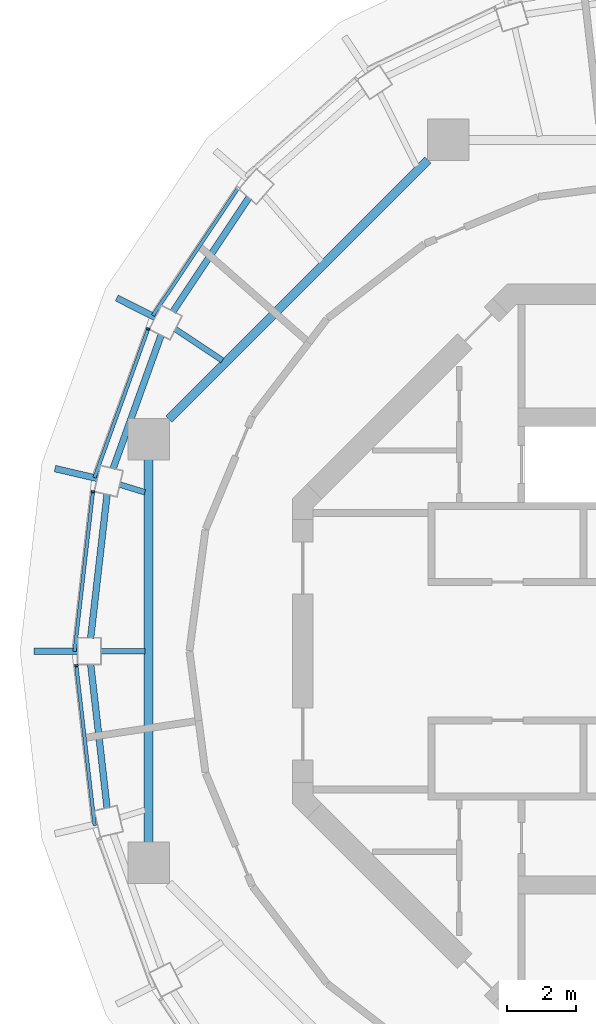
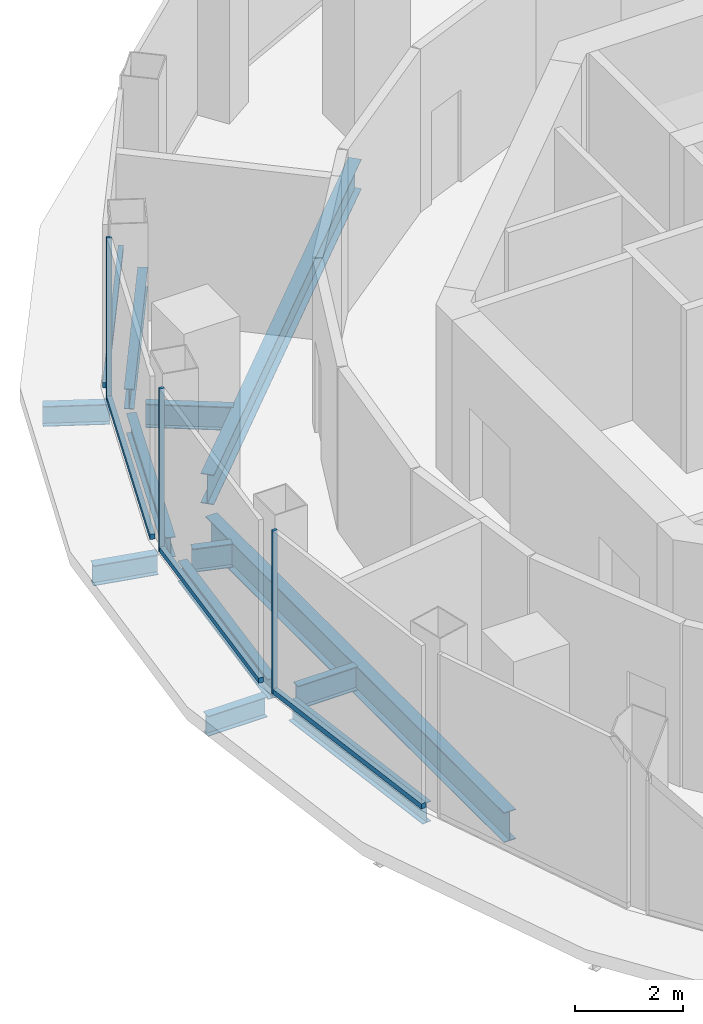
# One storey, part 4 of 11: 12 beams, 7 members, 4 elements without a shape of their own.
"""IFC4 building model written with IfcOpenShell, lengths in metres."""

from ifc_helpers import new_model, si_unit, direction, frame, origin, origin_2d, place, context, subcontext, project, spatial, rectangle, i_section, extrude, material, layer, layer_set, material_profile, profile_set, type_object, element, aggregate, save


model = new_model("IFC4")

# Units and contexts
model_context = context("Model", 3, precision=1e-05, world=origin(), true_north=direction((0.0, 1.0)))
body_context = subcontext(model_context, "Body", "Model", "MODEL_VIEW")
ifc_project = project(units=[si_unit("LENGTHUNIT", "METRE"), si_unit("AREAUNIT", "SQUARE_METRE"), si_unit("VOLUMEUNIT", "CUBIC_METRE"), si_unit("PLANEANGLEUNIT", "RADIAN"), si_unit("MASSUNIT", "GRAM", prefix="KILO")], contexts=[model_context])

# Site, building, storey
site_placement = place(None, origin())
site = spatial("IfcSite", under=ifc_project, at=site_placement, CompositionType="ELEMENT")
building_placement = place(site_placement, origin())
building = spatial("IfcBuilding", under=site, at=building_placement, Name="Nagisa Residences", CompositionType="ELEMENT")
storey_placement = place(building_placement, frame((0.0, 0.0, 324.89990234375)))
storey = spatial("IfcBuildingStorey", under=building, at=storey_placement, Name="L80", CompositionType="ELEMENT", Elevation=324.89990234375)

# Curtain wall, member
ifc_material_1 = material(Name="Aluminium curtain wall system", Category="aluminium")
ifc_layer = layer(ifc_material_1, 0.159912109375)
ifc_layer_set = layer_set([ifc_layer], Name="CW5 CURTAIN WALL")
curtain_wall_type = type_object("IfcCurtainWallType", Name="CW5 CURTAIN WALL", PredefinedType="NOTDEFINED", material=ifc_layer_set)
curtain_wall_1_placement = place(storey_placement, origin())
curtain_wall_1 = element("IfcCurtainWall", 1, at=curtain_wall_1_placement, inside=storey, type_object=curtain_wall_type, Name="cw:CW5:L80:10", PredefinedType="NOTDEFINED")
ifc_material_2 = material(Name="Aluminium", Category="aluminium")
ifc_material_profile_1 = material_profile(ifc_material_2, rectangle(XDim=0.10009765625, YDim=0.06005859375, at=origin_2d()), Name="CW5 MULLION 100x60")
ifc_profile_set_1 = profile_set([ifc_material_profile_1], Name="Aluminium")
member_type_1 = type_object("IfcMemberType", Name="CW5 MULLION 100x60", PredefinedType="MULLION", material=ifc_profile_set_1)
member_1_placement = place(storey_placement, frame((-14.793212890625, 9.318359375, 0.0), z_axis=(0.0, 0.0, 1.0), x_axis=(0.940554456033, -0.339642923136, 0.0)))
member_1 = element("IfcMember", 2, at=member_1_placement, type_object=member_type_1, Name="CW5 mullion", PredefinedType="MULLION", context=body_context, shape_type="SweptSolid", body=[
    extrude(rectangle(XDim=0.10009765625, YDim=0.06005859375, at=origin_2d()), origin(), (0.0, 0.0, 1.0), 3.7001953125),
])

curtain_wall_2_placement = place(storey_placement, origin())
curtain_wall_2 = element("IfcCurtainWall", 3, at=curtain_wall_2_placement, inside=storey, type_object=curtain_wall_type, Name="cw:CW5:L80:11", PredefinedType="NOTDEFINED")
member_2_placement = place(storey_placement, frame((-16.390380859375, 4.610595703125, 0.0), z_axis=(0.0, 0.0, 1.0), x_axis=(0.993477835048, -0.114025397474, 0.0)))
member_2 = element("IfcMember", 4, at=member_2_placement, type_object=member_type_1, Name="CW5 mullion", PredefinedType="MULLION", context=body_context, shape_type="SweptSolid", body=[
    extrude(rectangle(XDim=0.10009765625, YDim=0.06005859375, at=origin_2d()), origin(), (0.0, 0.0, 1.0), 3.7001953125),
])

curtain_wall_3_placement = place(storey_placement, origin())
curtain_wall_3 = element("IfcCurtainWall", 5, at=curtain_wall_3_placement, inside=storey, type_object=curtain_wall_type, Name="cw:CW5:L80:12", PredefinedType="NOTDEFINED")
member_3_placement = place(storey_placement, frame((-16.87158203125, -0.41796875, 0.0), z_axis=(0.0, 0.0, 1.0), x_axis=(0.993477835048, 0.114025397474, 0.0)))
member_3 = element("IfcMember", 6, at=member_3_placement, type_object=member_type_1, Name="CW5 mullion", PredefinedType="MULLION", context=body_context, shape_type="SweptSolid", body=[
    extrude(rectangle(XDim=0.10009765625, YDim=0.06005859375, at=origin_2d()), origin(), (0.0, 0.0, 1.0), 3.7001953125),
])

curtain_wall_4_placement = place(storey_placement, origin())
curtain_wall_4 = element("IfcCurtainWall", 7, at=curtain_wall_4_placement, inside=storey, type_object=curtain_wall_type, Name="cw:CW5:L80:09", PredefinedType="NOTDEFINED")
ifc_material_3 = material(Name="Aluminium", Category="aluminium")
ifc_material_profile_2 = material_profile(ifc_material_3, rectangle(XDim=0.10009765625, YDim=0.1201171875, at=origin_2d()), Name="CW5 TRANSOM 100x120")
ifc_profile_set_2 = profile_set([ifc_material_profile_2], Name="Aluminium")
member_type_2 = type_object("IfcMemberType", Name="CW5 TRANSOM 100x120", PredefinedType="USERDEFINED", material=ifc_profile_set_2)
member_4_placement = place(storey_placement, frame((-12.1767578125, 13.41162109375, 0.06005859375), z_axis=(-0.556026221044, -0.831164749921, 0.0), x_axis=(0.831164749921, -0.556026221044, 0.0)))
member_4 = element("IfcMember", 8, at=member_4_placement, type_object=member_type_2, Name="CW5 transom", ObjectType="TRANSOM", PredefinedType="USERDEFINED", context=body_context, shape_type="SweptSolid", body=[
    extrude(rectangle(XDim=0.10009765625, YDim=0.1201171875, at=origin_2d()), origin(), (0.0, 0.0, 1.0), 4.458984375),
])
aggregate(curtain_wall_4, [member_4])

# Member
member_5_placement = place(storey_placement, frame((-14.782958984375, 9.3466796875, 0.06005859375), z_axis=(-0.339645767878, -0.940553428766, 0.0), x_axis=(0.940553428766, -0.339645767878, 0.0)))
member_5 = element("IfcMember", 9, at=member_5_placement, type_object=member_type_2, Name="CW5 transom", ObjectType="TRANSOM", PredefinedType="USERDEFINED", context=body_context, shape_type="SweptSolid", body=[
    extrude(rectangle(XDim=0.10009765625, YDim=0.1201171875, at=origin_2d()), origin(), (0.0, 0.0, 1.0), 4.600341796875),
])

aggregate(curtain_wall_1, [member_1, member_5])

member_6_placement = place(storey_placement, frame((-16.386962890625, 4.640380859375, 0.06005859375), z_axis=(-0.11398649568, -0.993482299189, 0.0), x_axis=(0.993482299189, -0.11398649568, 0.0)))
member_6 = element("IfcMember", 10, at=member_6_placement, type_object=member_type_2, Name="CW5 transom", ObjectType="TRANSOM", PredefinedType="USERDEFINED", context=body_context, shape_type="SweptSolid", body=[
    extrude(rectangle(XDim=0.10009765625, YDim=0.1201171875, at=origin_2d()), origin(), (0.0, 0.0, 1.0), 4.679931640625),
])

aggregate(curtain_wall_2, [member_2, member_6])

member_7_placement = place(storey_placement, frame((-16.875, -0.38818359375, 0.06005859375), z_axis=(0.114032075188, -0.993477068597, 0.0), x_axis=(0.993477068597, 0.114032075188, 0.0)))
member_7 = element("IfcMember", 11, at=member_7_placement, type_object=member_type_2, Name="CW5 transom", ObjectType="TRANSOM", PredefinedType="USERDEFINED", context=body_context, shape_type="SweptSolid", body=[
    extrude(rectangle(XDim=0.10009765625, YDim=0.1201171875, at=origin_2d()), origin(), (0.0, 0.0, 1.0), 4.68017578125),
])

aggregate(curtain_wall_3, [member_3, member_7])

# Beams
ifc_material_4 = material(Name="Steel ASTM A572 Gr 50", Category="steel")
ifc_material_profile_3 = material_profile(ifc_material_4, i_section(OverallWidth=0.2529296875, OverallDepth=0.677978515625, WebThickness=0.01171875, FlangeThickness=0.016357421875, at=origin_2d()), Name="W690x125")
ifc_profile_set_3 = profile_set([ifc_material_profile_3], Name="Steel ASTM A572 Gr 50")
beam_type_1 = type_object("IfcBeamType", Name="Inner ring beam W690x125", PredefinedType="BEAM", material=ifc_profile_set_3)
beam_1_placement = place(storey_placement, frame((-6.708740234375, 14.1962890625, -0.638916015625), z_axis=(-0.707106781187, -0.707106781187, 0.0), x_axis=(0.707106781187, -0.707106781187, 0.0)))
element("IfcBeam", 12, at=beam_1_placement, inside=storey, type_object=beam_type_1, Name="beam:L80:ib3", PredefinedType="BEAM", context=body_context, shape_type="SweptSolid", body=[
    extrude(i_section(OverallWidth=0.2529296875, OverallDepth=0.677978515625, WebThickness=0.01171875, FlangeThickness=0.016357421875, at=origin_2d()), origin(), (0.0, 0.0, 1.0), 10.589111328125),
])
beam_2_placement = place(storey_placement, frame((-14.781982421875, 5.54296875, -0.638916015625), z_axis=(0.0, -1.0, 0.0), x_axis=(1.0, 0.0, 0.0)))
element("IfcBeam", 13, at=beam_2_placement, inside=storey, type_object=beam_type_1, Name="beam:L80:ib4", PredefinedType="BEAM", context=body_context, shape_type="SweptSolid", body=[
    extrude(i_section(OverallWidth=0.2529296875, OverallDepth=0.677978515625, WebThickness=0.01171875, FlangeThickness=0.016357421875, at=origin_2d()), origin(), (0.0, 0.0, 1.0), 11.0859375),
])
ifc_material_5 = material(Name="Steel ASTM A572 Gr 50", Category="steel")
ifc_material_profile_4 = material_profile(ifc_material_5, i_section(OverallWidth=0.18994140625, OverallDepth=0.45703125, WebThickness=0.009033203125, FlangeThickness=0.014404296875, at=origin_2d()), Name="W460x74")
ifc_profile_set_4 = profile_set([ifc_material_profile_4], Name="Steel ASTM A572 Gr 50")
beam_type_2 = type_object("IfcBeamType", Name="Lantern ring bracket W460x74", PredefinedType="BEAM", material=ifc_profile_set_4)
beam_3_placement = place(storey_placement, frame((-14.584228515625, 9.6484375, -0.5283203125), z_axis=(-0.893216090301, 0.44962764153, 0.0), x_axis=(-0.44962764153, -0.893216090301, 0.0)))
element("IfcBeam", 14, at=beam_3_placement, inside=storey, type_object=beam_type_2, Name="beam:L80:cb11", PredefinedType="BEAM", context=body_context, shape_type="SweptSolid", body=[
    extrude(i_section(OverallWidth=0.18994140625, OverallDepth=0.45703125, WebThickness=0.009033203125, FlangeThickness=0.014404296875, at=origin_2d()), origin(), (0.0, 0.0, 1.0), 1.253173828125),
])
beam_4_placement = place(storey_placement, frame((-16.259033203125, 4.99267578125, -0.5283203125), z_axis=(-0.973804082891, 0.227388671979, 0.0), x_axis=(-0.227388671979, -0.973804082891, 0.0)))
element("IfcBeam", 15, at=beam_4_placement, inside=storey, type_object=beam_type_2, Name="beam:L80:cb12", PredefinedType="BEAM", context=body_context, shape_type="SweptSolid", body=[
    extrude(i_section(OverallWidth=0.18994140625, OverallDepth=0.45703125, WebThickness=0.009033203125, FlangeThickness=0.014404296875, at=origin_2d()), origin(), (0.0, 0.0, 1.0), 1.261474609375),
])
beam_5_placement = place(storey_placement, frame((-16.830078125, 0.0, -0.5283203125), z_axis=(-1.0, 0.0, 0.0), x_axis=(0.0, -1.0, 0.0)))
element("IfcBeam", 16, at=beam_5_placement, inside=storey, type_object=beam_type_2, Name="beam:L80:cb13", PredefinedType="BEAM", context=body_context, shape_type="SweptSolid", body=[
    extrude(i_section(OverallWidth=0.18994140625, OverallDepth=0.45703125, WebThickness=0.009033203125, FlangeThickness=0.014404296875, at=origin_2d()), origin(), (0.0, 0.0, 1.0), 1.27001953125),
])
ifc_material_6 = material(Name="Steel ASTM A572 Gr 50", Category="steel")
ifc_material_profile_5 = material_profile(ifc_material_6, i_section(OverallWidth=0.18994140625, OverallDepth=0.45703125, WebThickness=0.009033203125, FlangeThickness=0.014404296875, at=origin_2d()), Name="W460x74")
ifc_profile_set_5 = profile_set([ifc_material_profile_5], Name="Steel ASTM A572 Gr 50")
beam_type_3 = type_object("IfcBeamType", Name="Perimeter ring beam W460x74", PredefinedType="BEAM", material=ifc_profile_set_5)
beam_6_placement = place(storey_placement, frame((-11.8798828125, 13.115966796875, -0.5283203125), z_axis=(-0.554529560082, -0.832164026497, 0.0), x_axis=(0.832164026497, -0.554529560082, 0.0)))
element("IfcBeam", 17, at=beam_6_placement, inside=storey, type_object=beam_type_3, Name="beam:L80:pb10", PredefinedType="BEAM", context=body_context, shape_type="SweptSolid", body=[
    extrude(i_section(OverallWidth=0.18994140625, OverallDepth=0.45703125, WebThickness=0.009033203125, FlangeThickness=0.014404296875, at=origin_2d()), origin(), (0.0, 0.0, 1.0), 3.96240234375),
])
beam_7_placement = place(storey_placement, frame((-14.4189453125, 9.1396484375, -0.5283203125), z_axis=(-0.338517252251, -0.940960185092, 0.0), x_axis=(0.940960185092, -0.338517252251, 0.0)))
element("IfcBeam", 18, at=beam_7_placement, inside=storey, type_object=beam_type_3, Name="beam:L80:pb11", PredefinedType="BEAM", context=body_context, shape_type="SweptSolid", body=[
    extrude(i_section(OverallWidth=0.18994140625, OverallDepth=0.45703125, WebThickness=0.009033203125, FlangeThickness=0.014404296875, at=origin_2d()), origin(), (0.0, 0.0, 1.0), 4.1044921875),
])
for number, where, z_axis, x_axis, name in (
    (19, (-15.981201171875, 4.537353515625, -0.5283203125), (-0.113600894263, -0.993526465084, 0.0), (0.993526465084, -0.113600894263, 0.0), "beam:L80:pb12"),
    (20, (-16.45654296875, -0.380126953125, -0.5283203125), (0.113600894263, -0.993526465084, 0.0), (0.993526465084, 0.113600894263, 0.0), "beam:L80:pb13"),
):
    element("IfcBeam", number, at=place(storey_placement, frame(where, z_axis=z_axis, x_axis=x_axis)), inside=storey, type_object=beam_type_3, Name=name, PredefinedType="BEAM", context=body_context, shape_type="SweptSolid", body=[
        extrude(i_section(OverallWidth=0.18994140625, OverallDepth=0.45703125, WebThickness=0.009033203125, FlangeThickness=0.014404296875, at=origin_2d()), origin(), (0.0, 0.0, 1.0), 4.184326171875),
    ])
ifc_material_7 = material(Name="Steel ASTM A572 Gr 50", Category="steel")
ifc_material_profile_6 = material_profile(ifc_material_7, i_section(OverallWidth=0.166015625, OverallDepth=0.534912109375, WebThickness=0.01025390625, FlangeThickness=0.0166015625, at=origin_2d()), Name="W530x85")
ifc_profile_set_6 = profile_set([ifc_material_profile_6], Name="Steel ASTM A572 Gr 50")
beam_type_4 = type_object("IfcBeamType", Name="Radial beam W530x85", PredefinedType="BEAM", material=ifc_profile_set_6)
beam_8_placement = place(storey_placement, frame((-14.012451171875, 9.31591796875, -0.5673828125), z_axis=(0.832714310154, -0.553702878505, 0.0), x_axis=(0.553702878505, 0.832714310154, 0.0)))
element("IfcBeam", 21, at=beam_8_placement, inside=storey, type_object=beam_type_4, Name="beam:L80:rb11", PredefinedType="BEAM", context=body_context, shape_type="SweptSolid", body=[
    extrude(i_section(OverallWidth=0.166015625, OverallDepth=0.534912109375, WebThickness=0.01025390625, FlangeThickness=0.0166015625, at=origin_2d()), origin(), (0.0, 0.0, 1.0), 1.638916015625),
])
beam_9_placement = place(storey_placement, frame((-15.62158203125, 4.820068359375, -0.5673828125), z_axis=(0.955489220567, -0.295026014753, 0.0), x_axis=(0.295026014753, 0.955489220567, 0.0)))
element("IfcBeam", 22, at=beam_9_placement, inside=storey, type_object=beam_type_4, Name="beam:L80:rb12", PredefinedType="BEAM", context=body_context, shape_type="SweptSolid", body=[
    extrude(i_section(OverallWidth=0.166015625, OverallDepth=0.534912109375, WebThickness=0.01025390625, FlangeThickness=0.0166015625, at=origin_2d()), origin(), (0.0, 0.0, 1.0), 0.766357421875),
])
beam_10_placement = place(storey_placement, frame((-16.169921875, 0.0, -0.5673828125), z_axis=(1.0, 0.0, 0.0), x_axis=(0.0, 1.0, 0.0)))
element("IfcBeam", 23, at=beam_10_placement, inside=storey, type_object=beam_type_4, Name="beam:L80:rb13", PredefinedType="BEAM", context=body_context, shape_type="SweptSolid", body=[
    extrude(i_section(OverallWidth=0.166015625, OverallDepth=0.534912109375, WebThickness=0.01025390625, FlangeThickness=0.0166015625, at=origin_2d()), origin(), (0.0, 0.0, 1.0), 1.28125),
])

save(model, "model.ifc")
